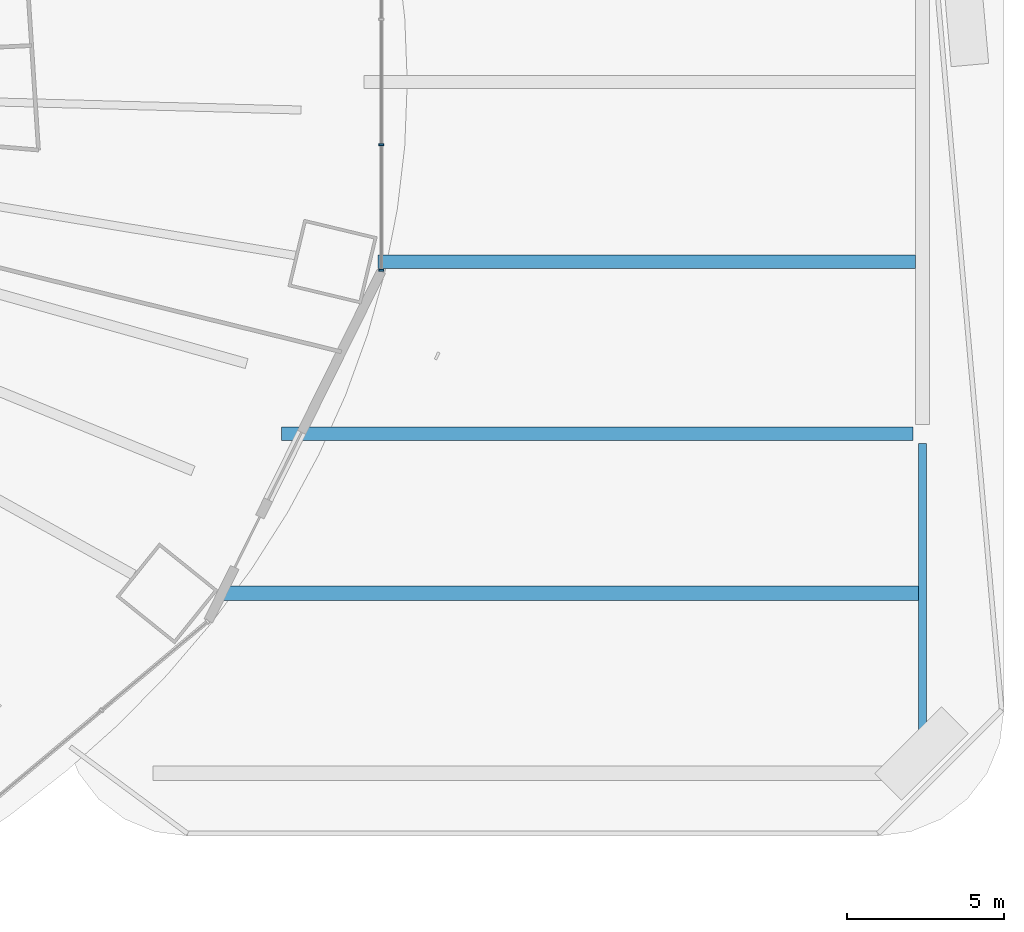
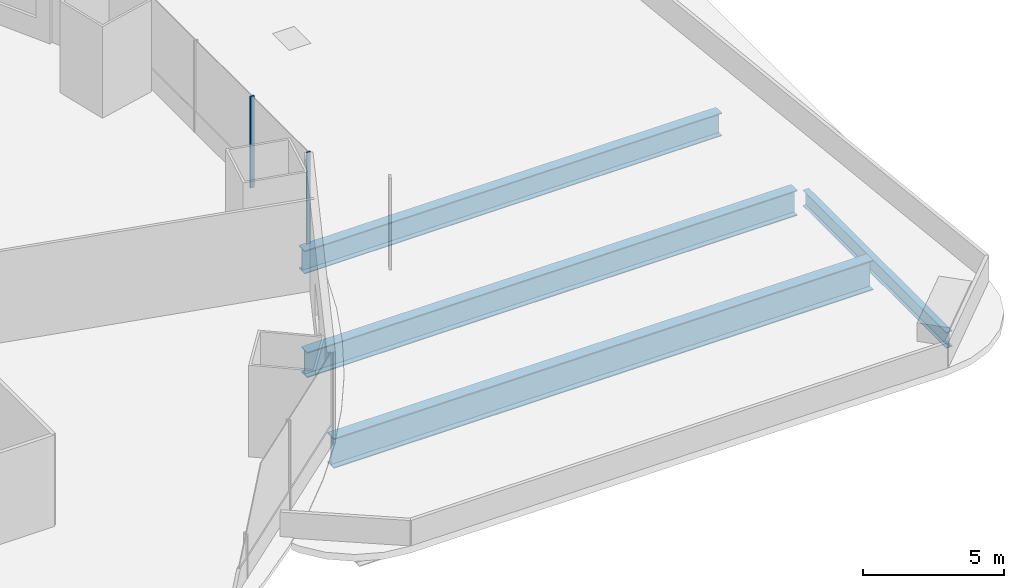
# One storey, part 13 of 27: 4 beams, 2 members, 1 element without a shape of its own.
"""IFC4 building model written with IfcOpenShell, lengths in metres."""

from ifc_helpers import new_model, si_unit, direction, frame, origin, origin_2d, place, context, subcontext, project, spatial, rectangle, i_section, extrude, material, material_profile, profile_set, type_object, element, aggregate, save


model = new_model("IFC4")

# Units and contexts
model_context = context("Model", 3, precision=1e-05, world=origin(), true_north=direction((0.0, 1.0)))
body_context = subcontext(model_context, "Body", "Model", "MODEL_VIEW")
ifc_project = project(units=[si_unit("LENGTHUNIT", "METRE"), si_unit("AREAUNIT", "SQUARE_METRE"), si_unit("VOLUMEUNIT", "CUBIC_METRE"), si_unit("PLANEANGLEUNIT", "RADIAN"), si_unit("MASSUNIT", "GRAM", prefix="KILO")], contexts=[model_context])

# Site, building, storey
site_placement = place(None, origin())
site = spatial("IfcSite", under=ifc_project, at=site_placement, CompositionType="ELEMENT")
building_placement = place(site_placement, origin())
building = spatial("IfcBuilding", under=site, at=building_placement, Name="Marenthal Gate Tower", CompositionType="ELEMENT")
storey_placement = place(building_placement, frame((0.0, 0.0, 33.0)))
storey = spatial("IfcBuildingStorey", under=building, at=storey_placement, Name="L04", CompositionType="ELEMENT", Elevation=33.0)

# Curtain wall, members
ifc_material_1 = material(Name="Aluminium and glass", Category="aluminium")
curtain_wall_type = type_object("IfcCurtainWallType", Name="Curtain wall typical low", PredefinedType="NOTDEFINED", material=ifc_material_1)
curtain_wall_placement = place(storey_placement, origin())
curtain_wall = element("IfcCurtainWall", 1, at=curtain_wall_placement, inside=storey, type_object=curtain_wall_type, Name="Curtain wall L04 bay 16", PredefinedType="NOTDEFINED")
ifc_material_2 = material(Name="Aluminium", Category="aluminium")
ifc_material_profile_1 = material_profile(ifc_material_2, rectangle(XDim=0.159912109375, YDim=0.06005859375, at=origin_2d()), Name="60x160 aluminium mullion")
ifc_profile_set_1 = profile_set([ifc_material_profile_1], Name="Aluminium")
member_type = type_object("IfcMemberType", Name="Mullion 60x160 typical low", PredefinedType="MULLION", material=ifc_profile_set_1)
member_1_placement = place(storey_placement, frame((36.17138671875, -5.994384765625, 0.0), z_axis=(0.0, 0.0, 1.0), x_axis=(-1.0, 0.0, 0.0)))
member_1 = element("IfcMember", 2, at=member_1_placement, type_object=member_type, Name="Mullion L04 bay 16.1", PredefinedType="MULLION", context=body_context, shape_type="SweptSolid", body=[
    extrude(rectangle(XDim=0.159912109375, YDim=0.06005859375, at=origin_2d()), origin(), (0.0, 0.0, 1.0), 3.969970703125),
])
member_2_placement = place(storey_placement, frame((36.17138671875, -1.998046875, 0.0), z_axis=(0.0, 0.0, 1.0), x_axis=(-1.0, 0.0, 0.0)))
member_2 = element("IfcMember", 3, at=member_2_placement, type_object=member_type, Name="Mullion L04 bay 16.2", PredefinedType="MULLION", context=body_context, shape_type="SweptSolid", body=[
    extrude(rectangle(XDim=0.159912109375, YDim=0.06005859375, at=origin_2d()), origin(), (0.0, 0.0, 1.0), 3.969970703125),
])
aggregate(curtain_wall, [member_1, member_2])

# Beams
ifc_material_3 = material(Name="Steel S355", Category="steel")
ifc_material_profile_2 = material_profile(ifc_material_3, i_section(OverallWidth=0.419921875, OverallDepth=1.0, WebThickness=0.02001953125, FlangeThickness=0.035888671875, at=origin_2d()), Name="PLATE GIRDER 1000X420X20X36")
ifc_profile_set_2 = profile_set([ifc_material_profile_2], Name="Steel S355")
beam_type_1 = type_object("IfcBeamType", Name="PLATE GIRDER 1000X420X20X36 beam", PredefinedType="BEAM", material=ifc_profile_set_2)
beam_1_placement = place(storey_placement, frame((36.061279296875, -5.716064453125, -0.840087890625), z_axis=(1.0, 0.0, 0.0), x_axis=(0.0, 1.0, 0.0)))
element("IfcBeam", 4, at=beam_1_placement, inside=storey, type_object=beam_type_1, Name="BM-L04-107", PredefinedType="BEAM", context=body_context, shape_type="SweptSolid", body=[
    extrude(i_section(OverallWidth=0.419921875, OverallDepth=1.0, WebThickness=0.02001953125, FlangeThickness=0.035888671875, at=origin_2d()), origin(), (0.0, 0.0, 1.0), 17.11376953125),
])
ifc_material_4 = material(Name="Steel S355", Category="steel")
ifc_material_profile_3 = material_profile(ifc_material_4, i_section(OverallWidth=0.429931640625, OverallDepth=1.10009765625, WebThickness=0.02001953125, FlangeThickness=0.0400390625, at=origin_2d()), Name="PLATE GIRDER 1100X430X20X40")
ifc_profile_set_3 = profile_set([ifc_material_profile_3], Name="Steel S355")
beam_type_2 = type_object("IfcBeamType", Name="PLATE GIRDER 1100X430X20X40 beam", PredefinedType="BEAM", material=ifc_profile_set_3)
beam_2_placement = place(storey_placement, frame((33.002685546875, -11.199951171875, -0.889892578125), z_axis=(1.0, 0.0, 0.0), x_axis=(0.0, 1.0, 0.0)))
element("IfcBeam", 5, at=beam_2_placement, inside=storey, type_object=beam_type_2, Name="BM-L04-106", PredefinedType="BEAM", context=body_context, shape_type="SweptSolid", body=[
    extrude(i_section(OverallWidth=0.429931640625, OverallDepth=1.10009765625, WebThickness=0.02001953125, FlangeThickness=0.0400390625, at=origin_2d()), origin(), (0.0, 0.0, 1.0), 20.097412109375),
])
ifc_material_5 = material(Name="Steel S355", Category="steel")
ifc_material_profile_4 = material_profile(ifc_material_5, i_section(OverallWidth=0.4599609375, OverallDepth=1.300048828125, WebThickness=0.02490234375, FlangeThickness=0.044921875, at=origin_2d()), Name="PLATE GIRDER 1300X460X25X45")
ifc_profile_set_4 = profile_set([ifc_material_profile_4], Name="Steel S355")
beam_type_3 = type_object("IfcBeamType", Name="PLATE GIRDER 1300X460X25X45 beam", PredefinedType="BEAM", material=ifc_profile_set_4)
beam_3_placement = place(storey_placement, frame((31.148193359375, -16.2783203125, -0.989990234375), z_axis=(1.0, 0.0, 0.0), x_axis=(0.0, 1.0, 0.0)))
element("IfcBeam", 6, at=beam_3_placement, inside=storey, type_object=beam_type_3, Name="BM-L04-105", PredefinedType="BEAM", context=body_context, shape_type="SweptSolid", body=[
    extrude(i_section(OverallWidth=0.4599609375, OverallDepth=1.300048828125, WebThickness=0.02490234375, FlangeThickness=0.044921875, at=origin_2d()), origin(), (0.0, 0.0, 1.0), 22.124755859375),
])
ifc_material_6 = material(Name="Steel S355", Category="steel")
ifc_material_profile_5 = material_profile(ifc_material_6, i_section(OverallWidth=0.25390625, OverallDepth=0.68310546875, WebThickness=0.012451171875, FlangeThickness=0.018798828125, FilletRadius=0.01513671875, at=origin_2d()), Name="W690X140")
ifc_profile_set_5 = profile_set([ifc_material_profile_5], Name="Steel S355")
beam_type_4 = type_object("IfcBeamType", Name="W690X140 beam", PredefinedType="BEAM", material=ifc_profile_set_5)
beam_4_placement = place(storey_placement, frame((53.39990234375, -21.699951171875, -0.681396484375), z_axis=(0.0, 1.0, 0.0), x_axis=(-1.0, 0.0, 0.0)))
element("IfcBeam", 7, at=beam_4_placement, inside=storey, type_object=beam_type_4, Name="BM-L04-101", PredefinedType="BEAM", context=body_context, shape_type="SweptSolid", body=[
    extrude(i_section(OverallWidth=0.25390625, OverallDepth=0.68310546875, WebThickness=0.012451171875, FlangeThickness=0.018798828125, FilletRadius=0.01513671875, at=origin_2d()), origin(), (0.0, 0.0, 1.0), 10.199951171875),
])

save(model, "model.ifc")
